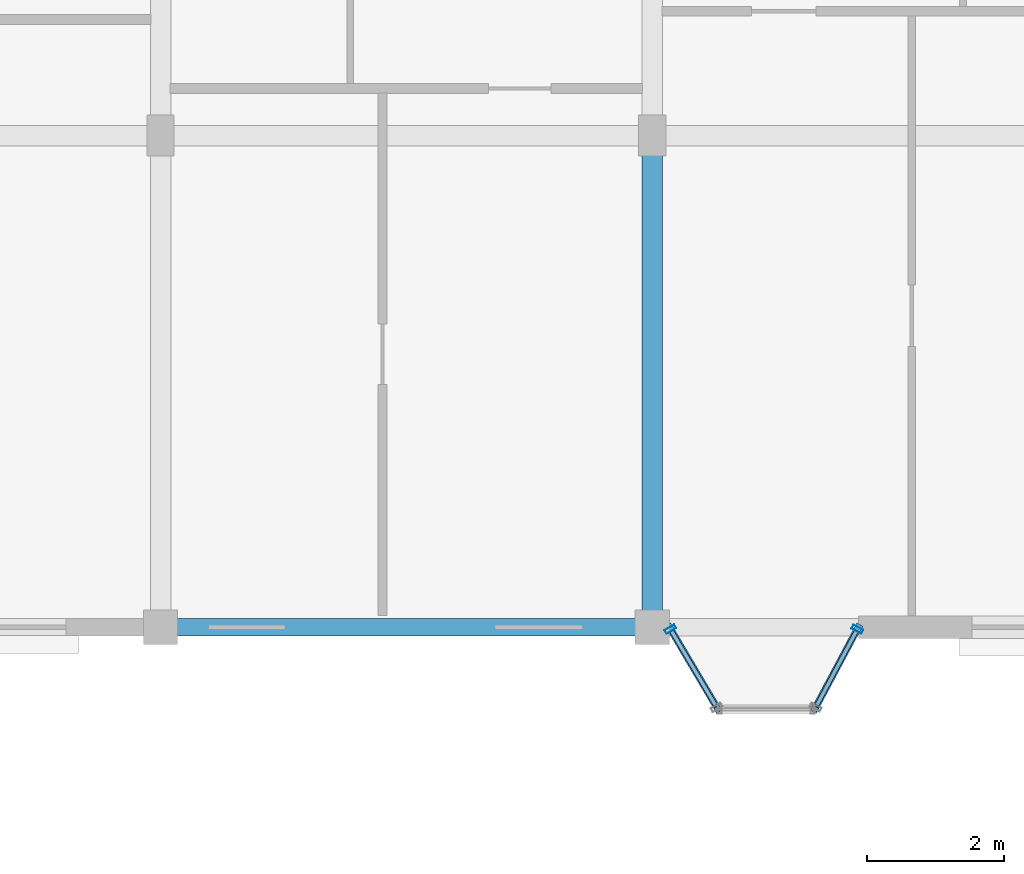
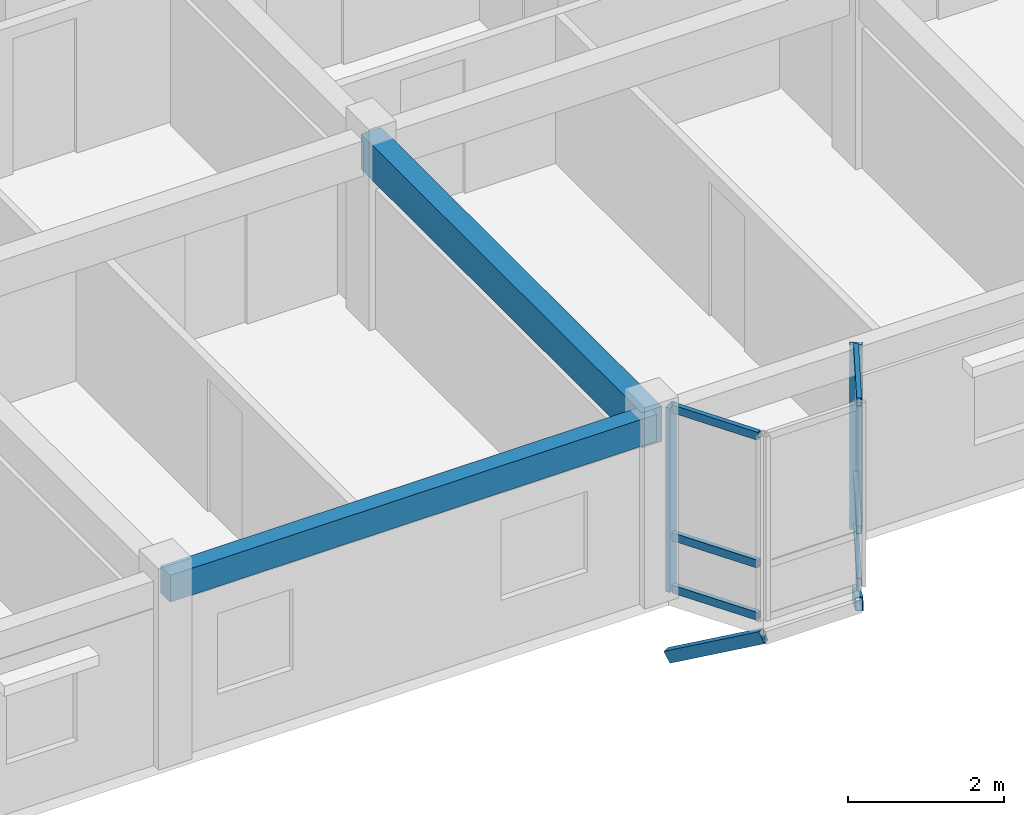
# One storey, part 35 of 65: 10 members, 2 beams, 2 elements without a shape of their own.
"""IFC4 building model written with IfcOpenShell, lengths in metres."""

from ifc_helpers import new_model, si_unit, direction, frame, origin, origin_2d, place, context, subcontext, project, spatial, rectangle, hollow_rectangle, extrude, material, layer, layer_set, material_profile, profile_set, type_object, element, aggregate, save


model = new_model("IFC4")

# Units and contexts
model_context = context("Model", 3, precision=1e-05, world=origin(), true_north=direction((0.0, 1.0)))
body_context = subcontext(model_context, "Body", "Model", "MODEL_VIEW")
ifc_project = project(units=[si_unit("LENGTHUNIT", "METRE"), si_unit("AREAUNIT", "SQUARE_METRE"), si_unit("VOLUMEUNIT", "CUBIC_METRE"), si_unit("PLANEANGLEUNIT", "RADIAN"), si_unit("MASSUNIT", "GRAM", prefix="KILO"), si_unit("THERMODYNAMICTEMPERATUREUNIT", "KELVIN"), si_unit("POWERUNIT", "WATT")], contexts=[model_context])

# Site, building, storey
site_placement = place(None, origin())
site = spatial("IfcSite", under=ifc_project, at=site_placement, CompositionType="ELEMENT")
building_placement = place(site_placement, origin())
building = spatial("IfcBuilding", under=site, at=building_placement, Name="Tavuni Mirador Residences", CompositionType="ELEMENT")
storey_placement = place(building_placement, frame((0.0, 0.0, 29.699951171875)))
storey = spatial("IfcBuildingStorey", under=building, at=storey_placement, Name="L09", CompositionType="ELEMENT", Elevation=29.699951171875)

# Beams
ifc_material_1 = material(Name="Precast concrete C40/50", Category="concrete")
ifc_material_profile_1 = material_profile(ifc_material_1, rectangle(XDim=0.300048828125, YDim=0.550048828125, at=origin_2d()), Name="PC 300x550", Category="concrete")
ifc_profile_set_1 = profile_set([ifc_material_profile_1], Name="Precast concrete C40/50")
beam_type_1 = type_object("IfcBeamType", Name="BT-B550", PredefinedType="BEAM", material=ifc_profile_set_1)
beam_1_placement = place(storey_placement, frame((46.800048828125, 144.0, 2.610107421875), z_axis=(0.0, 1.0, 0.0), x_axis=(-1.0, 0.0, 0.0)))
element("IfcBeam", 1, at=beam_1_placement, inside=storey, type_object=beam_type_1, Name="BMY-BLK-C-L09-05-00", PredefinedType="BEAM", context=body_context, shape_type="SweptSolid", body=[
    extrude(rectangle(XDim=0.300048828125, YDim=0.550048828125, at=origin_2d()), origin(), (0.0, 0.0, 1.0), 7.199951171875),
])
ifc_material_profile_2 = material_profile(ifc_material_1, rectangle(XDim=0.25, YDim=0.419921875, at=origin_2d()), Name="PC 250x420", Category="concrete")
ifc_profile_set_2 = profile_set([ifc_material_profile_2], Name="Precast concrete C40/50")
beam_type_2 = type_object("IfcBeamType", Name="BT-SP420", PredefinedType="SPANDREL", material=ifc_profile_set_2)
beam_2_placement = place(storey_placement, frame((39.60009765625, 144.0, 2.675048828125), z_axis=(1.0, 0.0, 0.0), x_axis=(0.0, 1.0, 0.0)))
element("IfcBeam", 2, at=beam_2_placement, inside=storey, type_object=beam_type_2, Name="BMX-BLK-C-L09-04-00", PredefinedType="SPANDREL", context=body_context, shape_type="SweptSolid", body=[
    extrude(rectangle(XDim=0.25, YDim=0.419921875, at=origin_2d()), origin(), (0.0, 0.0, 1.0), 7.199951171875),
])

# Curtain wall, member
ifc_material_2 = material(Name="Anodised aluminium", Category="aluminium")
ifc_layer_1 = layer(ifc_material_2, 0.159912109375, Name="Anodised aluminium", Category="aluminium")
ifc_layer_set_1 = layer_set([ifc_layer_1], Name="Anodised aluminium")
curtain_wall_type_1 = type_object("IfcCurtainWallType", Name="CWT-MIR-D", PredefinedType="NOTDEFINED", material=ifc_layer_set_1)
curtain_wall_1_placement = place(storey_placement, origin())
curtain_wall_1 = element("IfcCurtainWall", 3, at=curtain_wall_1_placement, inside=storey, type_object=curtain_wall_type_1, Name="CW-MIR-C-S3-L09-M1", PredefinedType="NOTDEFINED")
ifc_material_profile_3 = material_profile(ifc_material_2, hollow_rectangle(XDim=0.06494140625, YDim=0.1650390625, WallThickness=0.00439453125, at=origin_2d()), Name="ALU 65x165x4.5", Category="aluminium")
ifc_profile_set_3 = profile_set([ifc_material_profile_3], Name="Anodised aluminium")
member_type_1 = type_object("IfcMemberType", Name="CWM-165", PredefinedType="MULLION", material=ifc_profile_set_3)
member_1_placement = place(storey_placement, frame((47.066650390625, 143.971923828125, 0.0), z_axis=(0.0, 0.0, 1.0), x_axis=(0.509212491254, -0.860640830284, 0.0)))
member_1 = element("IfcMember", 4, at=member_1_placement, type_object=member_type_1, Name="CW-04 mullion 1", PredefinedType="MULLION", context=body_context, shape_type="SweptSolid", body=[
    extrude(hollow_rectangle(XDim=0.06494140625, YDim=0.1650390625, WallThickness=0.00439453125, at=origin_2d()), origin(), (0.0, 0.0, 1.0), 2.885009765625),
])

ifc_layer_2 = layer(ifc_material_2, 0.14990234375, Name="Anodised aluminium", Category="aluminium")
ifc_layer_set_2 = layer_set([ifc_layer_2], Name="Anodised aluminium")
curtain_wall_type_2 = type_object("IfcCurtainWallType", Name="CWT-MIR-B", PredefinedType="NOTDEFINED", material=ifc_layer_set_2)
curtain_wall_2_placement = place(storey_placement, origin())
curtain_wall_2 = element("IfcCurtainWall", 5, at=curtain_wall_2_placement, inside=storey, type_object=curtain_wall_type_2, Name="CW-MIR-C-S3-L09-M2", PredefinedType="NOTDEFINED")
member_2_placement = place(storey_placement, frame((49.8046875, 143.971435546875, 0.0), z_axis=(0.0, 0.0, 1.0), x_axis=(0.470588235296, 0.882352941175, 0.0)))
member_2 = element("IfcMember", 6, at=member_2_placement, type_object=member_type_1, Name="CW-02 mullion 2", PredefinedType="MULLION", context=body_context, shape_type="SweptSolid", body=[
    extrude(hollow_rectangle(XDim=0.06494140625, YDim=0.1650390625, WallThickness=0.00439453125, at=origin_2d()), origin(), (0.0, 0.0, 1.0), 2.885009765625),
])

# Member
ifc_material_profile_4 = material_profile(ifc_material_2, hollow_rectangle(XDim=0.06494140625, YDim=0.125, WallThickness=0.00439453125, at=origin_2d()), Name="ALU 65x125x4.5", Category="aluminium")
ifc_profile_set_4 = profile_set([ifc_material_profile_4], Name="Anodised aluminium")
member_type_2 = type_object("IfcMemberType", Name="CWT-125", PredefinedType="USERDEFINED", material=ifc_profile_set_4)
member_3_placement = place(storey_placement, frame((47.0830078125, 143.944091796875, 0.032470703125), z_axis=(0.509204147839, -0.860645766749, 0.0), x_axis=(0.860645766749, 0.509204147839, 0.0)))
member_3 = element("IfcMember", 7, at=member_3_placement, type_object=member_type_2, Name="CW-04 transom 1.1", ObjectType="TRANSOM", PredefinedType="USERDEFINED", context=body_context, shape_type="SweptSolid", body=[
    extrude(hollow_rectangle(XDim=0.06494140625, YDim=0.125, WallThickness=0.00439453125, at=origin_2d()), origin(), (0.0, 0.0, 1.0), 1.264404296875),
])

member_4_placement = place(storey_placement, frame((47.0830078125, 143.944091796875, 0.85009765625), z_axis=(0.509204147839, -0.860645766749, 0.0), x_axis=(0.860645766749, 0.509204147839, 0.0)))
member_4 = element("IfcMember", 8, at=member_4_placement, type_object=member_type_2, Name="CW-04 transom 1.2", ObjectType="TRANSOM", PredefinedType="USERDEFINED", context=body_context, shape_type="SweptSolid", body=[
    extrude(hollow_rectangle(XDim=0.06494140625, YDim=0.125, WallThickness=0.00439453125, at=origin_2d()), origin(), (0.0, 0.0, 1.0), 1.264404296875),
])

member_5_placement = place(storey_placement, frame((47.0830078125, 143.944091796875, 2.8525390625), z_axis=(0.509204147839, -0.860645766749, 0.0), x_axis=(0.860645766749, 0.509204147839, 0.0)))
member_5 = element("IfcMember", 9, at=member_5_placement, type_object=member_type_2, Name="CW-04 transom 1.3", ObjectType="TRANSOM", PredefinedType="USERDEFINED", context=body_context, shape_type="SweptSolid", body=[
    extrude(hollow_rectangle(XDim=0.06494140625, YDim=0.125, WallThickness=0.00439453125, at=origin_2d()), origin(), (0.0, 0.0, 1.0), 1.264404296875),
])

aggregate(curtain_wall_1, [member_1, member_3, member_4, member_5])

member_6_placement = place(storey_placement, frame((49.210693359375, 142.857421875, 0.032470703125), z_axis=(0.470485195601, 0.882407887952, 0.0), x_axis=(-0.882407887952, 0.470485195601, 0.0)))
member_6 = element("IfcMember", 10, at=member_6_placement, type_object=member_type_2, Name="CW-02 transom 1.1", ObjectType="TRANSOM", PredefinedType="USERDEFINED", context=body_context, shape_type="SweptSolid", body=[
    extrude(hollow_rectangle(XDim=0.06494140625, YDim=0.125, WallThickness=0.00439453125, at=origin_2d()), origin(), (0.0, 0.0, 1.0), 1.229736328125),
])

member_7_placement = place(storey_placement, frame((49.210693359375, 142.857421875, 0.85009765625), z_axis=(0.470485195601, 0.882407887952, 0.0), x_axis=(-0.882407887952, 0.470485195601, 0.0)))
member_7 = element("IfcMember", 11, at=member_7_placement, type_object=member_type_2, Name="CW-02 transom 1.2", ObjectType="TRANSOM", PredefinedType="USERDEFINED", context=body_context, shape_type="SweptSolid", body=[
    extrude(hollow_rectangle(XDim=0.06494140625, YDim=0.125, WallThickness=0.00439453125, at=origin_2d()), origin(), (0.0, 0.0, 1.0), 1.229736328125),
])

member_8_placement = place(storey_placement, frame((49.210693359375, 142.857421875, 2.8525390625), z_axis=(0.470485195601, 0.882407887952, 0.0), x_axis=(-0.882407887952, 0.470485195601, 0.0)))
member_8 = element("IfcMember", 12, at=member_8_placement, type_object=member_type_2, Name="CW-02 transom 1.3", ObjectType="TRANSOM", PredefinedType="USERDEFINED", context=body_context, shape_type="SweptSolid", body=[
    extrude(hollow_rectangle(XDim=0.06494140625, YDim=0.125, WallThickness=0.00439453125, at=origin_2d()), origin(), (0.0, 0.0, 1.0), 1.229736328125),
])

aggregate(curtain_wall_2, [member_2, member_6, member_7, member_8])

# Members
ifc_material_3 = material(Name="Structural steel S355", Category="steel")
ifc_material_profile_5 = material_profile(ifc_material_3, hollow_rectangle(XDim=0.10009765625, YDim=0.179931640625, WallThickness=0.008056640625, at=origin_2d()), Name="RHS 180x100x8.0", Category="steel")
ifc_profile_set_5 = profile_set([ifc_material_profile_5], Name="Structural steel S355")
member_type_3 = type_object("IfcMemberType", Name="MT-BR-RHS180", PredefinedType="BRACE", material=ifc_profile_set_5)
member_9_placement = place(storey_placement, frame((47.050048828125, 144.0, -1.050048828125), z_axis=(0.443691124558, -0.749911237002, 0.490684544903), x_axis=(0.860644027762, 0.509207087026, 0.0)))
element("IfcMember", 13, at=member_9_placement, inside=storey, type_object=member_type_3, Name="MBRK-MIR-C-S3-L09-1", PredefinedType="BRACE", context=body_context, shape_type="SweptSolid", body=[
    extrude(hollow_rectangle(XDim=0.10009765625, YDim=0.179931640625, WallThickness=0.008056640625, at=origin_2d()), origin(), (0.0, 0.0, 1.0), 1.60009765625),
])
member_10_placement = place(storey_placement, frame((49.820068359375, 144.0, -1.050048828125), z_axis=(-0.4076288534, -0.764109769055, 0.499974978084), x_axis=(0.882303244255, -0.470681405175, 0.0)))
element("IfcMember", 14, at=member_10_placement, inside=storey, type_object=member_type_3, Name="MBRK-MIR-C-S3-L09-2", PredefinedType="BRACE", context=body_context, shape_type="SweptSolid", body=[
    extrude(hollow_rectangle(XDim=0.10009765625, YDim=0.179931640625, WallThickness=0.008056640625, at=origin_2d()), origin(), (0.0, 0.0, 1.0), 1.5703125),
])

save(model, "model.ifc")
